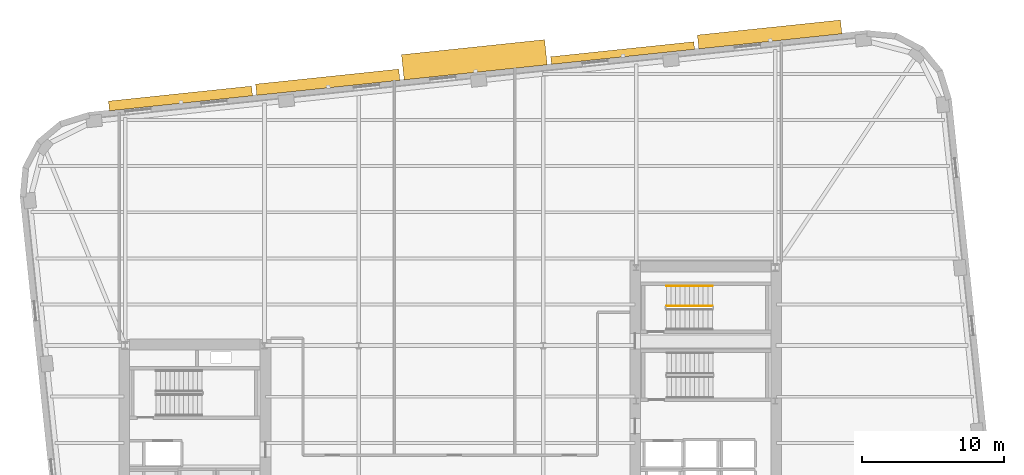
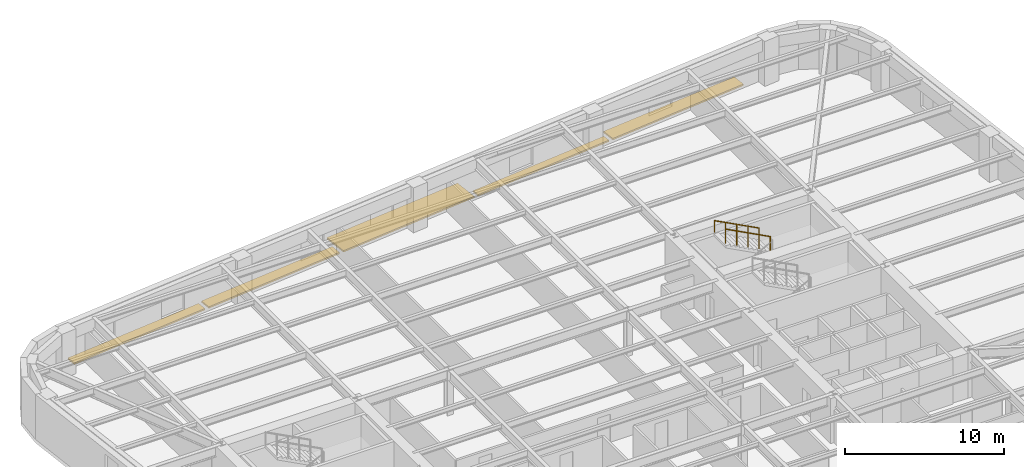
# One storey, part 11 of 11: 5 shading devices, 2 railings.
"""IFC4 building model written with IfcOpenShell, lengths in metres."""

from ifc_helpers import new_model, si_unit, direction, frame, origin, origin_2d, place, context, subcontext, project, spatial, rectangle, circle, extrude, material, type_object, element, save


model = new_model("IFC4")

# Units and contexts
model_context = context("Model", 3, precision=1e-05, world=origin(), true_north=direction((0.0, 1.0)))
body_context = subcontext(model_context, "Body", "Model", "MODEL_VIEW")
ifc_project = project(units=[si_unit("LENGTHUNIT", "METRE"), si_unit("AREAUNIT", "SQUARE_METRE"), si_unit("VOLUMEUNIT", "CUBIC_METRE"), si_unit("PLANEANGLEUNIT", "RADIAN"), si_unit("MASSUNIT", "GRAM", prefix="KILO")], contexts=[model_context])

# Site, building, storey
site_placement = place(None, origin())
site = spatial("IfcSite", under=ifc_project, at=site_placement, CompositionType="ELEMENT")
building_placement = place(site_placement, origin())
building = spatial("IfcBuilding", under=site, at=building_placement, Name="Kolvaren Arena Tower", CompositionType="ELEMENT")
storey_placement = place(building_placement, frame((0.0, 0.0, 122.199951171875)))
storey = spatial("IfcBuildingStorey", under=building, at=storey_placement, Name="L28", CompositionType="ELEMENT", Elevation=122.199951171875)

# Railings
ifc_material_1 = material(Name="Painted galvanized steel", Category="steel")
railing_type_1 = type_object("IfcRailingType", Name="GUARD-ST-110", PredefinedType="GUARDRAIL", material=ifc_material_1)
railing_1_placement = place(storey_placement, frame((55.919921875, 36.64990234375, 2.04541015625)))
element("IfcRailing", 1, at=railing_1_placement, inside=storey, type_object=railing_type_1, Name="L28 ST-E2 stair guard 3", PredefinedType="GUARDRAIL", context=body_context, shape_type="SweptSolid", body=[
    extrude(circle(Radius=0.02392578125, at=origin_2d()), frame((0.0, 0.0, 1.076171875), z_axis=(-0.884993431791, 0.0, 0.465603506952), x_axis=(0.0, -1.0, 0.0)), (0.0, 0.0, 1.0), 3.6611328125),
    extrude(circle(Radius=0.02099609375, at=origin_2d()), origin(), (0.0, 0.0, 1.0), 1.052001953125),
    extrude(circle(Radius=0.02099609375, at=origin_2d()), frame((-0.81005859375, 0.0, 0.42626953125)), (0.0, 0.0, 1.0), 1.052001953125),
    extrude(circle(Radius=0.02099609375, at=origin_2d()), frame((-1.6201171875, 0.0, 0.852294921875)), (0.0, 0.0, 1.0), 1.052001953125),
    extrude(circle(Radius=0.02099609375, at=origin_2d()), frame((-2.429931640625, 0.0, 1.2783203125)), (0.0, 0.0, 1.0), 1.052001953125),
    extrude(circle(Radius=0.02099609375, at=origin_2d()), frame((-3.239990234375, 0.0, 1.70458984375)), (0.0, 0.0, 1.0), 1.052001953125),
])
ifc_material_2 = material(Name="Brushed stainless steel handrail", Category="steel")
railing_type_2 = type_object("IfcRailingType", Name="HRAIL-900", PredefinedType="HANDRAIL", material=ifc_material_2)
railing_2_placement = place(storey_placement, frame((55.919921875, 38.050048828125, 2.04541015625)))
element("IfcRailing", 2, at=railing_2_placement, inside=storey, type_object=railing_type_2, Name="L28 ST-E2 stair handrail 2", PredefinedType="HANDRAIL", context=body_context, shape_type="SweptSolid", body=[
    extrude(circle(Radius=0.02392578125, at=origin_2d()), frame((0.0, 0.0, 0.8759765625), z_axis=(-0.884993431791, 0.0, 0.465603506952), x_axis=(0.0, -1.0, 0.0)), (0.0, 0.0, 1.0), 3.6611328125),
    extrude(circle(Radius=0.02099609375, at=origin_2d()), origin(), (0.0, 0.0, 1.0), 0.851806640625),
    extrude(circle(Radius=0.02099609375, at=origin_2d()), frame((-0.81005859375, 0.0, 0.42626953125)), (0.0, 0.0, 1.0), 0.851806640625),
    extrude(circle(Radius=0.02099609375, at=origin_2d()), frame((-1.6201171875, 0.0, 0.852294921875)), (0.0, 0.0, 1.0), 0.851806640625),
    extrude(circle(Radius=0.02099609375, at=origin_2d()), frame((-2.429931640625, 0.0, 1.2783203125)), (0.0, 0.0, 1.0), 0.851806640625),
    extrude(circle(Radius=0.02099609375, at=origin_2d()), frame((-3.239990234375, 0.0, 1.70458984375)), (0.0, 0.0, 1.0), 0.851806640625),
])

# Shading devices
ifc_material_3 = material(Name="Architectural precast GFRC and anodised aluminium sunshade", Category="concrete")
shading_device_type_1 = type_object("IfcShadingDeviceType", Name="SHAD-SINE-A", PredefinedType="USERDEFINED", material=ifc_material_3)
shading_device_1_placement = place(storey_placement, frame((18.439697265625, 51.26806640625, -0.139892578125), z_axis=(0.0, 0.0, 1.0), x_axis=(0.994522077803, 0.104526727499, 0.0)))
element("IfcShadingDevice", 3, at=shading_device_1_placement, inside=storey, type_object=shading_device_type_1, Name="Sinusoidal Slab-Edge Sunshade Louvre (L28)", ObjectType="LOUVRE", PredefinedType="USERDEFINED", context=body_context, shape_type="SweptSolid", body=[
    extrude(rectangle(XDim=10.139892578125, YDim=0.68896484375, at=origin_2d()), origin(), (0.0, 0.0, 1.0), 0.1201171875),
])
shading_device_2_placement = place(storey_placement, frame((28.817138671875, 52.412109375, -0.139892578125), z_axis=(0.0, 0.0, 1.0), x_axis=(0.994522077803, 0.104526727499, 0.0)))
element("IfcShadingDevice", 4, at=shading_device_2_placement, inside=storey, type_object=shading_device_type_1, Name="Sinusoidal Slab-Edge Sunshade Louvre (L28)", ObjectType="LOUVRE", PredefinedType="USERDEFINED", context=body_context, shape_type="SweptSolid", body=[
    extrude(rectangle(XDim=10.139892578125, YDim=0.794921875, at=origin_2d()), origin(), (0.0, 0.0, 1.0), 0.1201171875),
])
shading_device_3_placement = place(storey_placement, frame((49.595947265625, 54.46826171875, -0.139892578125), z_axis=(0.0, 0.0, 1.0), x_axis=(0.994522077803, 0.104526727499, 0.0)))
element("IfcShadingDevice", 5, at=shading_device_3_placement, inside=storey, type_object=shading_device_type_1, Name="Sinusoidal Slab-Edge Sunshade Louvre (L28)", ObjectType="LOUVRE", PredefinedType="USERDEFINED", context=body_context, shape_type="SweptSolid", body=[
    extrude(rectangle(XDim=10.139892578125, YDim=0.540771484375, at=origin_2d()), origin(), (0.0, 0.0, 1.0), 0.1201171875),
])
shading_device_4_placement = place(storey_placement, frame((59.955810546875, 55.778564453125, -0.139892578125), z_axis=(0.0, 0.0, 1.0), x_axis=(0.994522077803, 0.104526727499, 0.0)))
element("IfcShadingDevice", 6, at=shading_device_4_placement, inside=storey, type_object=shading_device_type_1, Name="Sinusoidal Slab-Edge Sunshade Louvre (L28)", ObjectType="LOUVRE", PredefinedType="USERDEFINED", context=body_context, shape_type="SweptSolid", body=[
    extrude(rectangle(XDim=10.139892578125, YDim=0.981201171875, at=origin_2d()), origin(), (0.0, 0.0, 1.0), 0.1201171875),
])
shading_device_type_2 = type_object("IfcShadingDeviceType", Name="SHAD-SINE-B", PredefinedType="JALOUSIE", material=ifc_material_3)
shading_device_5_placement = place(storey_placement, frame((39.148193359375, 53.994873046875, -0.139892578125), z_axis=(0.0, 0.0, 1.0), x_axis=(0.994522077803, 0.104526727499, 0.0)))
element("IfcShadingDevice", 7, at=shading_device_5_placement, inside=storey, type_object=shading_device_type_2, Name="Sinusoidal Slab-Edge Sunshade Louvre (L28)", PredefinedType="JALOUSIE", context=body_context, shape_type="SweptSolid", body=[
    extrude(rectangle(XDim=10.139892578125, YDim=1.783203125, at=origin_2d()), origin(), (0.0, 0.0, 1.0), 0.1201171875),
])

save(model, "model.ifc")
